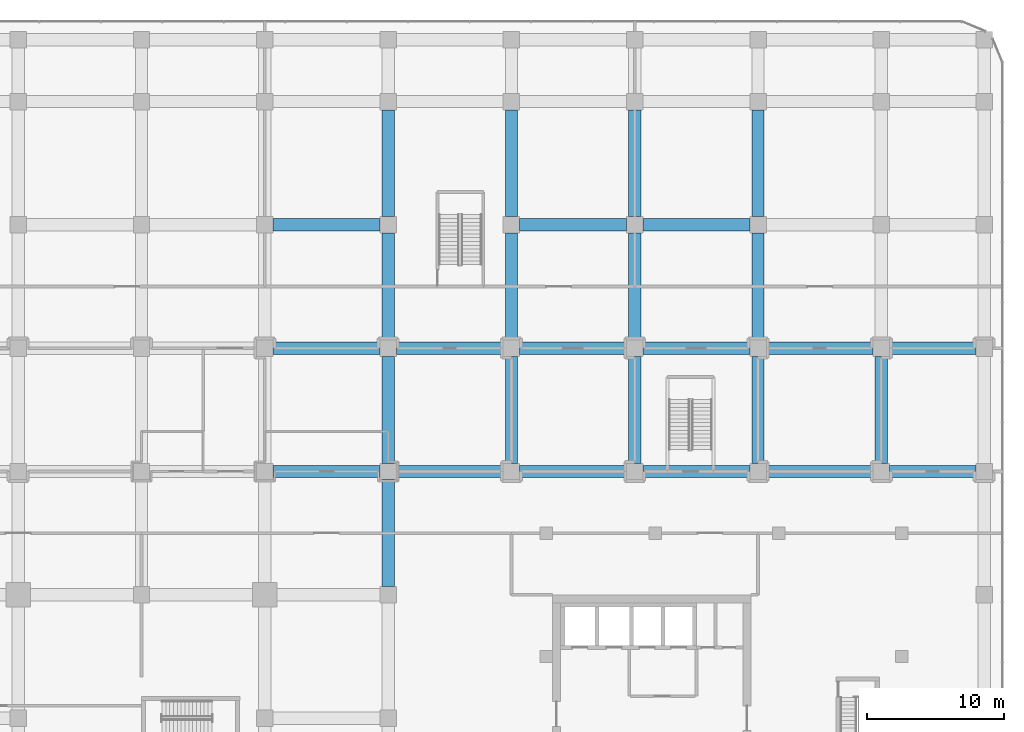
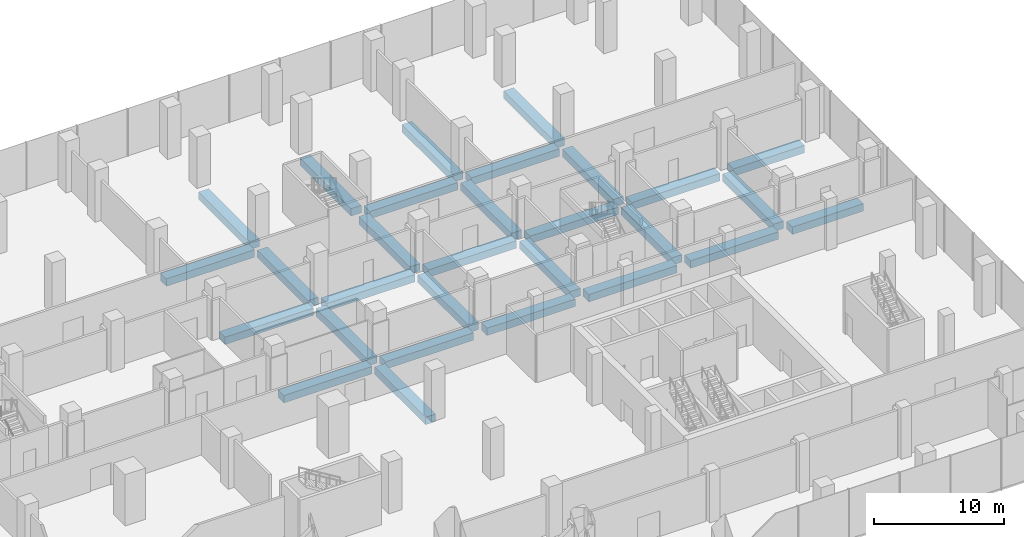
# One storey, part 17 of 42: 29 beams.
"""IFC4 building model written with IfcOpenShell, lengths in metres."""

from ifc_helpers import new_model, si_unit, direction, frame, origin, origin_2d, place, context, subcontext, project, spatial, rectangle, extrude, material, material_profile, profile_set, type_object, element, save


model = new_model("IFC4")

# Units and contexts
model_context = context("Model", 3, precision=1e-05, world=origin(), true_north=direction((0.0, 1.0)))
body_context = subcontext(model_context, "Body", "Model", "MODEL_VIEW")
ifc_project = project(units=[si_unit("LENGTHUNIT", "METRE"), si_unit("AREAUNIT", "SQUARE_METRE"), si_unit("VOLUMEUNIT", "CUBIC_METRE"), si_unit("PLANEANGLEUNIT", "RADIAN"), si_unit("MASSUNIT", "GRAM", prefix="KILO")], contexts=[model_context])

# Site, building, storey
site_placement = place(None, origin())
site = spatial("IfcSite", under=ifc_project, at=site_placement, CompositionType="ELEMENT")
building_placement = place(site_placement, origin())
building = spatial("IfcBuilding", under=site, at=building_placement, Name="Plateau Cross Towers", CompositionType="ELEMENT")
storey_placement = place(building_placement, frame((0.0, 0.0, 8.0)))
storey = spatial("IfcBuildingStorey", under=building, at=storey_placement, Name="L01", CompositionType="ELEMENT", Elevation=8.0)

# Beams
ifc_material = material(Name="Concrete C50/60", Category="concrete")
ifc_material_profile = material_profile(ifc_material, rectangle(XDim=0.89990234375, YDim=0.699951171875, at=origin_2d()), Name="RC 900x700")
ifc_profile_set = profile_set([ifc_material_profile], Name="Concrete C50/60")
beam_type = type_object("IfcBeamType", Name="Podium band beam RC 900x700", PredefinedType="BEAM", material=ifc_profile_set)
for number, where, z_axis, x_axis, name in (
    (1, (54.60009765625, 27.0, -0.699951171875), (1.0, 0.0, 0.0), (0.0, 1.0, 0.0), "PB39@L01"),
    (2, (63.60009765625, 27.0, -0.699951171875), (1.0, 0.0, 0.0), (0.0, 1.0, 0.0), "PB40@L01"),
    (3, (72.60009765625, 27.0, -0.699951171875), (1.0, 0.0, 0.0), (0.0, 1.0, 0.0), "PB41@L01"),
    (4, (81.60009765625, 27.0, -0.699951171875), (1.0, 0.0, 0.0), (0.0, 1.0, 0.0), "PB42@L01"),
    (5, (90.60009765625, 27.0, -0.699951171875), (1.0, 0.0, 0.0), (0.0, 1.0, 0.0), "PB43@L01"),
):
    element("IfcBeam", number, at=place(storey_placement, frame(where, z_axis=z_axis, x_axis=x_axis)), inside=storey, type_object=beam_type, Name=name, PredefinedType="BEAM", context=body_context, shape_type="SweptSolid", body=[
        extrude(rectangle(XDim=0.89990234375, YDim=0.699951171875, at=origin_2d()), origin(), (0.0, 0.0, 1.0), 7.7998046875),
    ])
beam_1_placement = place(storey_placement, frame((99.60009765625, 27.0, -0.699951171875), z_axis=(1.0, 0.0, 0.0), x_axis=(0.0, 1.0, 0.0)))
element("IfcBeam", 6, at=beam_1_placement, inside=storey, type_object=beam_type, Name="PB44@L01", PredefinedType="BEAM", context=body_context, shape_type="SweptSolid", body=[
    extrude(rectangle(XDim=0.89990234375, YDim=0.699951171875, at=origin_2d()), origin(), (0.0, 0.0, 1.0), 6.2998046875),
])
for number, where, z_axis, x_axis, name in (
    (7, (54.60009765625, 36.0, -0.699951171875), (1.0, 0.0, 0.0), (0.0, 1.0, 0.0), "PB52@L01"),
    (8, (63.60009765625, 36.0, -0.699951171875), (1.0, 0.0, 0.0), (0.0, 1.0, 0.0), "PB53@L01"),
    (9, (72.60009765625, 36.0, -0.699951171875), (1.0, 0.0, 0.0), (0.0, 1.0, 0.0), "PB54@L01"),
    (10, (81.60009765625, 36.0, -0.699951171875), (1.0, 0.0, 0.0), (0.0, 1.0, 0.0), "PB55@L01"),
    (11, (90.60009765625, 36.0, -0.699951171875), (1.0, 0.0, 0.0), (0.0, 1.0, 0.0), "PB56@L01"),
):
    element("IfcBeam", number, at=place(storey_placement, frame(where, z_axis=z_axis, x_axis=x_axis)), inside=storey, type_object=beam_type, Name=name, PredefinedType="BEAM", context=body_context, shape_type="SweptSolid", body=[
        extrude(rectangle(XDim=0.89990234375, YDim=0.699951171875, at=origin_2d()), origin(), (0.0, 0.0, 1.0), 7.7998046875),
    ])
beam_2_placement = place(storey_placement, frame((99.60009765625, 36.0, -0.699951171875), z_axis=(1.0, 0.0, 0.0), x_axis=(0.0, 1.0, 0.0)))
element("IfcBeam", 12, at=beam_2_placement, inside=storey, type_object=beam_type, Name="PB57@L01", PredefinedType="BEAM", context=body_context, shape_type="SweptSolid", body=[
    extrude(rectangle(XDim=0.89990234375, YDim=0.699951171875, at=origin_2d()), origin(), (0.0, 0.0, 1.0), 6.2998046875),
])
for number, where, z_axis, x_axis, name in (
    (13, (54.60009765625, 45.0, -0.699951171875), (1.0, 0.0, 0.0), (0.0, 1.0, 0.0), "PB62@L01"),
    (14, (72.60009765625, 45.0, -0.699951171875), (1.0, 0.0, 0.0), (0.0, 1.0, 0.0), "PB63@L01"),
    (15, (81.60009765625, 45.0, -0.699951171875), (1.0, 0.0, 0.0), (0.0, 1.0, 0.0), "PB64@L01"),
    (16, (63.0, 18.60009765625, -0.699951171875), (0.0, 1.0, 0.0), (-1.0, 0.0, 0.0), "PB152@L01"),
    (17, (63.0, 27.60009765625, -0.699951171875), (0.0, 1.0, 0.0), (-1.0, 0.0, 0.0), "PB153@L01"),
    (18, (63.0, 36.60009765625, -0.699951171875), (0.0, 1.0, 0.0), (-1.0, 0.0, 0.0), "PB154@L01"),
    (19, (63.0, 45.60009765625, -0.699951171875), (0.0, 1.0, 0.0), (-1.0, 0.0, 0.0), "PB155@L01"),
    (20, (72.0, 27.60009765625, -0.699951171875), (0.0, 1.0, 0.0), (-1.0, 0.0, 0.0), "PB157@L01"),
    (21, (72.0, 36.60009765625, -0.699951171875), (0.0, 1.0, 0.0), (-1.0, 0.0, 0.0), "PB158@L01"),
    (22, (72.0, 45.60009765625, -0.699951171875), (0.0, 1.0, 0.0), (-1.0, 0.0, 0.0), "PB159@L01"),
    (23, (81.0, 27.60009765625, -0.699951171875), (0.0, 1.0, 0.0), (-1.0, 0.0, 0.0), "PB161@L01"),
    (24, (81.0, 36.60009765625, -0.699951171875), (0.0, 1.0, 0.0), (-1.0, 0.0, 0.0), "PB162@L01"),
    (25, (81.0, 45.60009765625, -0.699951171875), (0.0, 1.0, 0.0), (-1.0, 0.0, 0.0), "PB163@L01"),
    (26, (90.0, 27.60009765625, -0.699951171875), (0.0, 1.0, 0.0), (-1.0, 0.0, 0.0), "PB165@L01"),
    (27, (90.0, 36.60009765625, -0.699951171875), (0.0, 1.0, 0.0), (-1.0, 0.0, 0.0), "PB166@L01"),
    (28, (90.0, 45.60009765625, -0.699951171875), (0.0, 1.0, 0.0), (-1.0, 0.0, 0.0), "PB167@L01"),
    (29, (99.0, 27.60009765625, -0.699951171875), (0.0, 1.0, 0.0), (-1.0, 0.0, 0.0), "PB169@L01"),
):
    element("IfcBeam", number, at=place(storey_placement, frame(where, z_axis=z_axis, x_axis=x_axis)), inside=storey, type_object=beam_type, Name=name, PredefinedType="BEAM", context=body_context, shape_type="SweptSolid", body=[
        extrude(rectangle(XDim=0.89990234375, YDim=0.699951171875, at=origin_2d()), origin(), (0.0, 0.0, 1.0), 7.7998046875),
    ])

save(model, "model.ifc")
